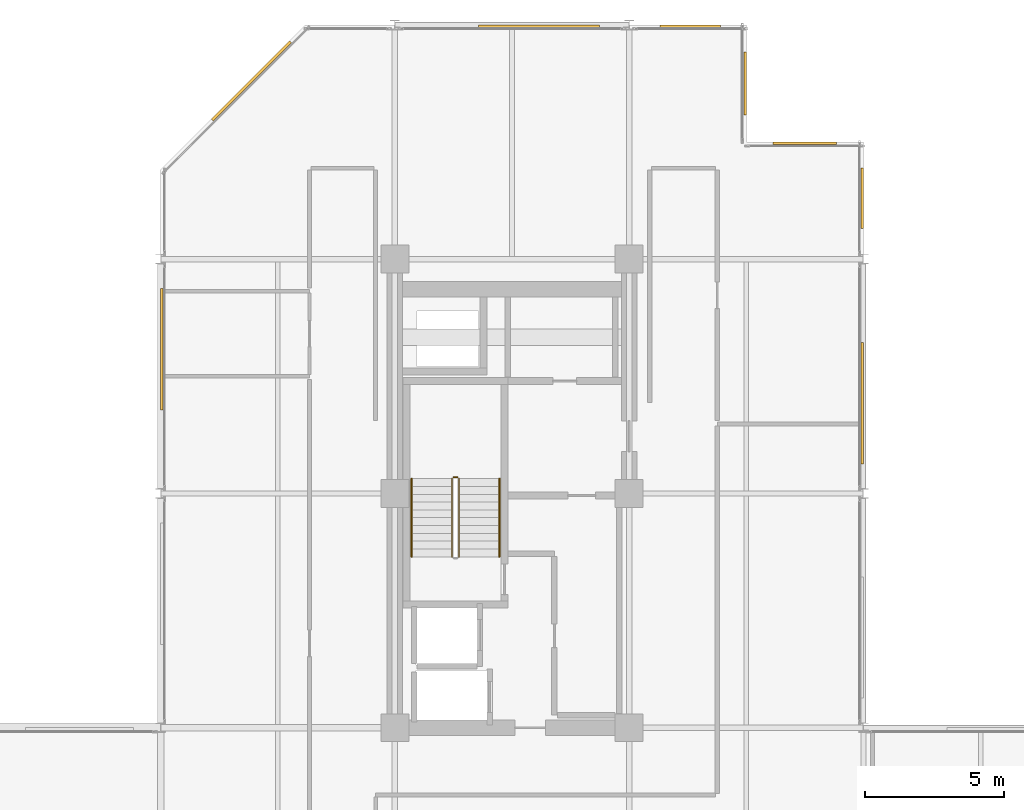
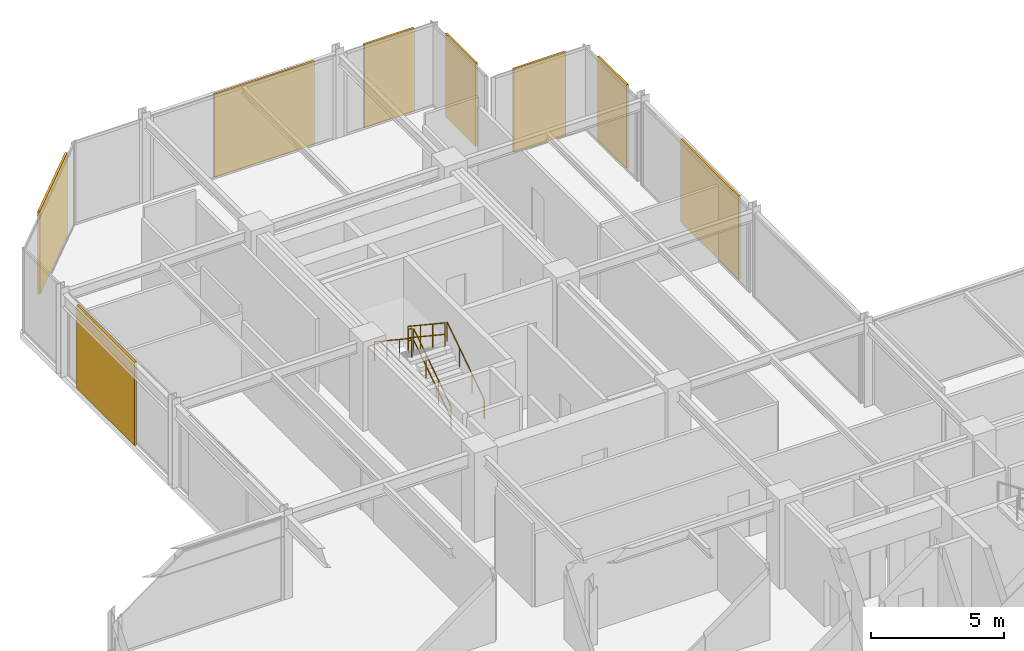
# One storey, part 29 of 29: 8 coverings, 5 railings.
"""IFC4 building model written with IfcOpenShell, lengths in metres."""

from ifc_helpers import new_model, si_unit, direction, frame, origin, origin_2d, place, context, subcontext, project, spatial, rectangle, circle, extrude, material, layer, layer_set, type_object, element, save


model = new_model("IFC4")

# Units and contexts
model_context = context("Model", 3, precision=1e-05, world=origin(), true_north=direction((0.0, 1.0)))
body_context = subcontext(model_context, "Body", "Model", "MODEL_VIEW")
ifc_project = project(units=[si_unit("LENGTHUNIT", "METRE"), si_unit("AREAUNIT", "SQUARE_METRE"), si_unit("VOLUMEUNIT", "CUBIC_METRE"), si_unit("PLANEANGLEUNIT", "RADIAN"), si_unit("MASSUNIT", "GRAM", prefix="KILO")], contexts=[model_context])

# Site, building, storey
site_placement = place(None, origin())
site = spatial("IfcSite", under=ifc_project, at=site_placement, CompositionType="ELEMENT")
building_placement = place(site_placement, origin())
building = spatial("IfcBuilding", under=site, at=building_placement, Name="Nerrivon Quay Data Exchange", CompositionType="ELEMENT")
storey_placement = place(building_placement, frame((0.0, 0.0, 196.0)))
storey = spatial("IfcBuildingStorey", under=building, at=storey_placement, Name="L46", CompositionType="ELEMENT", Elevation=196.0)

# Coverings
ifc_material_1 = material(Name="Architectural terracotta ceramic", Category="masonry")
ifc_layer = layer(ifc_material_1, 0.090087890625)
ifc_layer_set = layer_set([ifc_layer], Name="Architectural terracotta ceramic")
covering_type = type_object("IfcCoveringType", Name="COV-SCR-TERR", PredefinedType="CLADDING", material=ifc_layer_set)
covering_1_placement = place(storey_placement, frame((0.044921875, 38.76611328125, 0.0), z_axis=(0.0, 0.0, 1.0), x_axis=(0.0, 1.0, 0.0)))
element("IfcCovering", 1, at=covering_1_placement, inside=storey, type_object=covering_type, Name="L46 Perforated Terracotta SOLAR SCREEN Cassette", PredefinedType="CLADDING", context=body_context, shape_type="SweptSolid", body=[
    extrude(rectangle(XDim=4.346923828125, YDim=0.090087890625, at=origin_2d()), origin(), (0.0, 0.0, 1.0), 3.824951171875),
])
covering_2_placement = place(storey_placement, frame((3.255859375, 48.39208984375, 0.0), z_axis=(0.0, 0.0, 1.0), x_axis=(0.707106781187, 0.707106781187, 0.0)))
element("IfcCovering", 2, at=covering_2_placement, inside=storey, type_object=covering_type, Name="L46 Perforated Terracotta SOLAR SCREEN Cassette", PredefinedType="CLADDING", context=body_context, shape_type="SweptSolid", body=[
    extrude(rectangle(XDim=3.970947265625, YDim=0.090087890625, at=origin_2d()), origin(), (0.0, 0.0, 1.0), 3.824951171875),
])
covering_3_placement = place(storey_placement, frame((13.56591796875, 50.35498046875, 0.0), z_axis=(0.0, 0.0, 1.0), x_axis=(1.0, 0.0, 0.0)))
element("IfcCovering", 3, at=covering_3_placement, inside=storey, type_object=covering_type, Name="L46 Perforated Terracotta SOLAR SCREEN Cassette", PredefinedType="CLADDING", context=body_context, shape_type="SweptSolid", body=[
    extrude(rectangle(XDim=4.346923828125, YDim=0.090087890625, at=origin_2d()), origin(), (0.0, 0.0, 1.0), 3.824951171875),
])
covering_4_placement = place(storey_placement, frame((18.987548828125, 50.35498046875, 0.0), z_axis=(0.0, 0.0, 1.0), x_axis=(1.0, 0.0, 0.0)))
element("IfcCovering", 4, at=covering_4_placement, inside=storey, type_object=covering_type, Name="L46 Perforated Terracotta SOLAR SCREEN Cassette", PredefinedType="CLADDING", context=body_context, shape_type="SweptSolid", body=[
    extrude(rectangle(XDim=2.173095703125, YDim=0.090087890625, at=origin_2d()), origin(), (0.0, 0.0, 1.0), 3.824951171875),
])
for number, where, z_axis, x_axis, name in (
    (5, (20.955078125, 48.300048828125, 0.0), (0.0, 0.0, 1.0), (0.0, -1.0, 0.0), "L46 Perforated Terracotta SOLAR SCREEN Cassette"),
    (6, (23.10009765625, 46.155029296875, 0.0), (0.0, 0.0, 1.0), (1.0, 0.0, 0.0), "L46 Perforated Terracotta SOLAR SCREEN Cassette"),
):
    element("IfcCovering", number, at=place(storey_placement, frame(where, z_axis=z_axis, x_axis=x_axis)), inside=storey, type_object=covering_type, Name=name, PredefinedType="CLADDING", context=body_context, shape_type="SweptSolid", body=[
        extrude(rectangle(XDim=2.26806640625, YDim=0.090087890625, at=origin_2d()), origin(), (0.0, 0.0, 1.0), 3.824951171875),
    ])
covering_5_placement = place(storey_placement, frame((25.155029296875, 44.1875, 0.0), z_axis=(0.0, 0.0, 1.0), x_axis=(0.0, -1.0, 0.0)))
element("IfcCovering", 7, at=covering_5_placement, inside=storey, type_object=covering_type, Name="L46 Perforated Terracotta SOLAR SCREEN Cassette", PredefinedType="CLADDING", context=body_context, shape_type="SweptSolid", body=[
    extrude(rectangle(XDim=2.174072265625, YDim=0.090087890625, at=origin_2d()), origin(), (0.0, 0.0, 1.0), 3.824951171875),
])
covering_6_placement = place(storey_placement, frame((25.155029296875, 36.833984375, 0.0), z_axis=(0.0, 0.0, 1.0), x_axis=(0.0, -1.0, 0.0)))
element("IfcCovering", 8, at=covering_6_placement, inside=storey, type_object=covering_type, Name="L46 Perforated Terracotta SOLAR SCREEN Cassette", PredefinedType="CLADDING", context=body_context, shape_type="SweptSolid", body=[
    extrude(rectangle(XDim=4.346923828125, YDim=0.090087890625, at=origin_2d()), origin(), (0.0, 0.0, 1.0), 3.824951171875),
])

# Railings
ifc_material_2 = material(Name="Steel Grade C350L0 (350 MPa)", Category="steel")
railing_type_1 = type_object("IfcRailingType", Name="RAIL-HAND-HR1", PredefinedType="HANDRAIL", material=ifc_material_2)
railing_1_placement = place(storey_placement, frame((12.14990234375, 31.330078125, 0.186279296875)))
element("IfcRailing", 9, at=railing_1_placement, inside=storey, type_object=railing_type_1, Name="L46 ST01 stair handrail 1", PredefinedType="HANDRAIL", context=body_context, shape_type="SweptSolid", body=[
    extrude(circle(Radius=0.02392578125, at=origin_2d()), frame((0.0, 0.0, 0.8759765625), z_axis=(0.0, 0.832429786209, 0.554130536094), x_axis=(-1.0, 0.0, 0.0)), (0.0, 0.0, 1.0), 3.363525390625),
    extrude(circle(Radius=0.02099609375, at=origin_2d()), origin(), (0.0, 0.0, 1.0), 0.851806640625),
    extrude(circle(Radius=0.02099609375, at=origin_2d()), frame((0.0, 0.933349609375, 0.621337890625)), (0.0, 0.0, 1.0), 0.851806640625),
    extrude(circle(Radius=0.02099609375, at=origin_2d()), frame((0.0, 1.866455078125, 1.242431640625)), (0.0, 0.0, 1.0), 0.851806640625),
    extrude(circle(Radius=0.02099609375, at=origin_2d()), frame((0.0, 2.7998046875, 1.86376953125)), (0.0, 0.0, 1.0), 0.851806640625),
])
railing_2_placement = place(storey_placement, frame((9.0, 34.1298828125, 2.236328125)))
element("IfcRailing", 10, at=railing_2_placement, inside=storey, type_object=railing_type_1, Name="L46 ST01 stair handrail 2", PredefinedType="HANDRAIL", context=body_context, shape_type="SweptSolid", body=[
    extrude(circle(Radius=0.02392578125, at=origin_2d()), frame((0.0, 0.0, 0.8759765625), z_axis=(0.0, -0.832429786209, 0.554130536094), x_axis=(1.0, 0.0, 0.0)), (0.0, 0.0, 1.0), 3.363525390625),
    extrude(circle(Radius=0.02099609375, at=origin_2d()), origin(), (0.0, 0.0, 1.0), 0.851806640625),
    extrude(circle(Radius=0.02099609375, at=origin_2d()), frame((0.0, -0.933349609375, 0.621337890625)), (0.0, 0.0, 1.0), 0.851806640625),
    extrude(circle(Radius=0.02099609375, at=origin_2d()), frame((0.0, -1.866455078125, 1.242431640625)), (0.0, 0.0, 1.0), 0.851806640625),
    extrude(circle(Radius=0.02099609375, at=origin_2d()), frame((0.0, -2.7998046875, 1.86376953125)), (0.0, 0.0, 1.0), 0.851806640625),
])
railing_type_2 = type_object("IfcRailingType", Name="RAIL-STAIR-GR1", PredefinedType="BALUSTRADE", material=ifc_material_2)
railing_3_placement = place(storey_placement, frame((10.699951171875, 31.330078125, 0.186279296875)))
element("IfcRailing", 11, at=railing_3_placement, inside=storey, type_object=railing_type_2, Name="L46 ST01 stair guard 1", PredefinedType="BALUSTRADE", context=body_context, shape_type="SweptSolid", body=[
    extrude(circle(Radius=0.02392578125, at=origin_2d()), frame((0.0, 0.0, 1.076171875), z_axis=(0.0, 0.832429786209, 0.554130536094), x_axis=(-1.0, 0.0, 0.0)), (0.0, 0.0, 1.0), 3.363525390625),
    extrude(circle(Radius=0.02392578125, at=origin_2d()), frame((0.0, 0.0, 0.550048828125), z_axis=(0.0, 0.832429786209, 0.554130536094), x_axis=(-1.0, 0.0, 0.0)), (0.0, 0.0, 1.0), 3.363525390625),
    extrude(circle(Radius=0.02099609375, at=origin_2d()), origin(), (0.0, 0.0, 1.0), 1.052001953125),
    extrude(circle(Radius=0.02099609375, at=origin_2d()), frame((0.0, 0.933349609375, 0.621337890625)), (0.0, 0.0, 1.0), 1.052001953125),
    extrude(circle(Radius=0.02099609375, at=origin_2d()), frame((0.0, 1.866455078125, 1.242431640625)), (0.0, 0.0, 1.0), 1.052001953125),
    extrude(circle(Radius=0.02099609375, at=origin_2d()), frame((0.0, 2.7998046875, 1.86376953125)), (0.0, 0.0, 1.0), 1.052001953125),
])
railing_4_placement = place(storey_placement, frame((10.64990234375, 34.179931640625, 2.050048828125)))
element("IfcRailing", 12, at=railing_4_placement, inside=storey, type_object=railing_type_2, Name="L46 ST01 stair guard 2", PredefinedType="BALUSTRADE", context=body_context, shape_type="SweptSolid", body=[
    extrude(circle(Radius=0.02392578125, at=origin_2d()), frame((0.0, 0.0, 1.076171875), z_axis=(-1.0, 0.0, 0.0), x_axis=(0.0, -1.0, 0.0)), (0.0, 0.0, 1.0), 0.14990234375),
    extrude(circle(Radius=0.02392578125, at=origin_2d()), frame((0.0, 0.0, 0.550048828125), z_axis=(-1.0, 0.0, 0.0), x_axis=(0.0, -1.0, 0.0)), (0.0, 0.0, 1.0), 0.14990234375),
    extrude(circle(Radius=0.02099609375, at=origin_2d()), origin(), (0.0, 0.0, 1.0), 1.052001953125),
    extrude(circle(Radius=0.02099609375, at=origin_2d()), frame((-0.14990234375, 0.0, 0.0)), (0.0, 0.0, 1.0), 1.052001953125),
])
railing_5_placement = place(storey_placement, frame((10.449951171875, 34.1298828125, 2.236328125)))
element("IfcRailing", 13, at=railing_5_placement, inside=storey, type_object=railing_type_2, Name="L46 ST01 stair guard 3", PredefinedType="BALUSTRADE", context=body_context, shape_type="SweptSolid", body=[
    extrude(circle(Radius=0.02392578125, at=origin_2d()), frame((0.0, 0.0, 1.076171875), z_axis=(0.0, -0.832429786209, 0.554130536094), x_axis=(1.0, 0.0, 0.0)), (0.0, 0.0, 1.0), 3.363525390625),
    extrude(circle(Radius=0.02392578125, at=origin_2d()), frame((0.0, 0.0, 0.550048828125), z_axis=(0.0, -0.832429786209, 0.554130536094), x_axis=(1.0, 0.0, 0.0)), (0.0, 0.0, 1.0), 3.363525390625),
    extrude(circle(Radius=0.02099609375, at=origin_2d()), origin(), (0.0, 0.0, 1.0), 1.052001953125),
    extrude(circle(Radius=0.02099609375, at=origin_2d()), frame((0.0, -0.933349609375, 0.621337890625)), (0.0, 0.0, 1.0), 1.052001953125),
    extrude(circle(Radius=0.02099609375, at=origin_2d()), frame((0.0, -1.866455078125, 1.242431640625)), (0.0, 0.0, 1.0), 1.052001953125),
    extrude(circle(Radius=0.02099609375, at=origin_2d()), frame((0.0, -2.7998046875, 1.86376953125)), (0.0, 0.0, 1.0), 1.052001953125),
])

save(model, "model.ifc")
